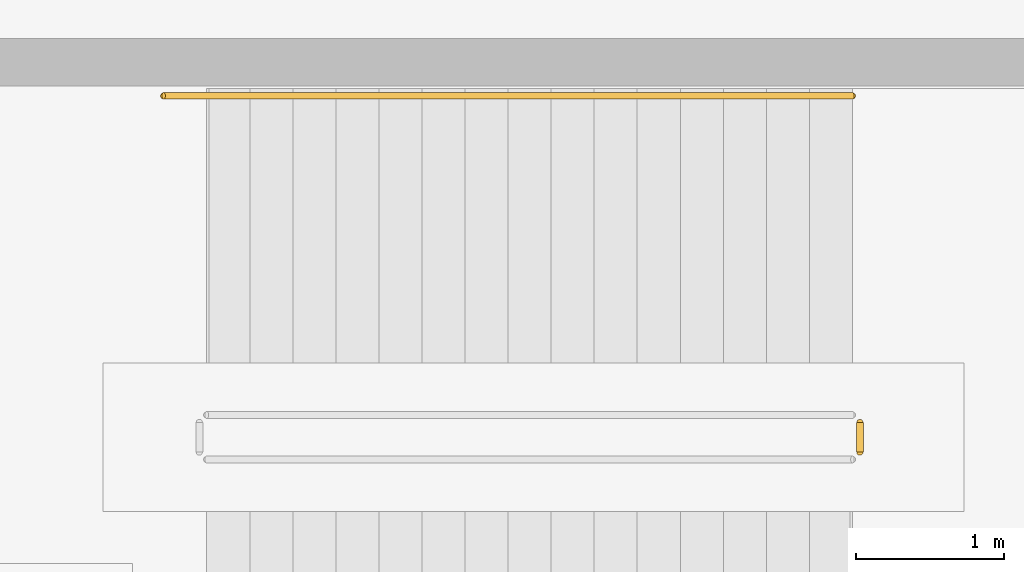
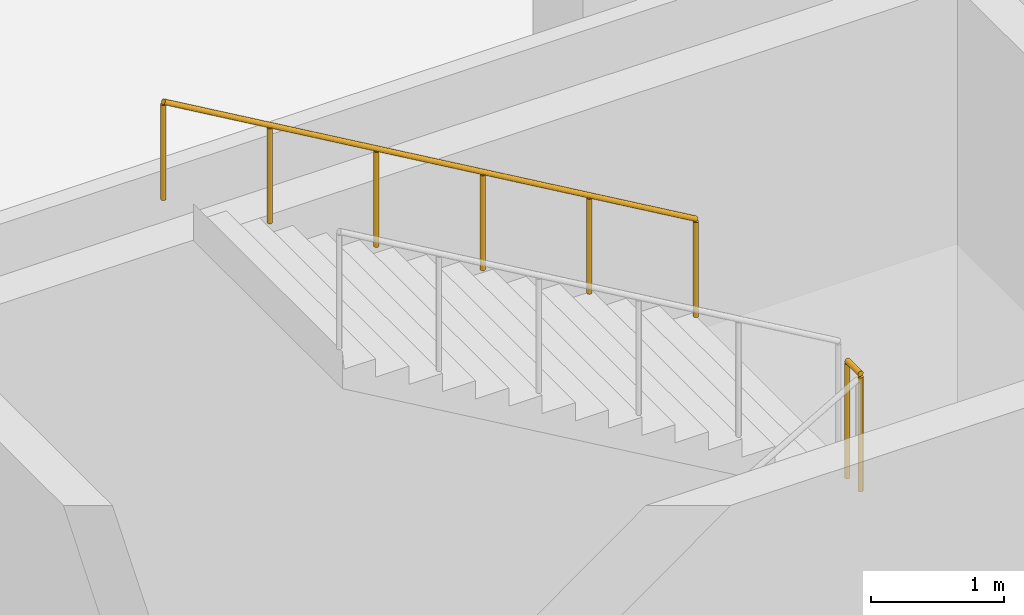
# One storey, part 53 of 60: 2 railings.
"""IFC4 building model written with IfcOpenShell, lengths in metres."""

from ifc_helpers import new_model, si_unit, direction, frame, origin, origin_2d, place, context, subcontext, project, spatial, circle, extrude, material, type_object, element, save


model = new_model("IFC4")

# Units and contexts
model_context = context("Model", 3, precision=1e-05, world=origin(), true_north=direction((0.0, 1.0)))
body_context = subcontext(model_context, "Body", "Model", "MODEL_VIEW")
ifc_project = project(units=[si_unit("LENGTHUNIT", "METRE"), si_unit("AREAUNIT", "SQUARE_METRE"), si_unit("VOLUMEUNIT", "CUBIC_METRE"), si_unit("PLANEANGLEUNIT", "RADIAN"), si_unit("MASSUNIT", "GRAM", prefix="KILO")], contexts=[model_context])

# Site, building, storey
site_placement = place(None, origin())
site = spatial("IfcSite", under=ifc_project, at=site_placement, CompositionType="ELEMENT")
building_placement = place(site_placement, origin())
building = spatial("IfcBuilding", under=site, at=building_placement, Name="Trimount Lyric Opera House", CompositionType="ELEMENT")
storey_placement = place(building_placement, frame((0.0, 0.0, -5.39990234375)))
storey = spatial("IfcBuildingStorey", under=building, at=storey_placement, Name="B1", CompositionType="ELEMENT", Elevation=-5.39990234375)

# Railings
ifc_material_1 = material(Name="Brushed Stainless Steel 316", Category="steel")
railing_type_1 = type_object("IfcRailingType", Name="RL-GRD110", PredefinedType="GUARDRAIL", material=ifc_material_1)
railing_1_placement = place(storey_placement, frame((25.25, 57.050048828125, 2.699951171875)))
element("IfcRailing", 1, at=railing_1_placement, inside=storey, type_object=railing_type_1, Name="B1 ST-06 stair guard 2", PredefinedType="GUARDRAIL", context=body_context, shape_type="SweptSolid", body=[
    extrude(circle(Radius=0.02392578125, at=origin_2d()), frame((0.0, 0.0, 1.076171875), z_axis=(0.0, 1.0, 0.0), x_axis=(-1.0, 0.0, 0.0)), (0.0, 0.0, 1.0), 0.199951171875),
    extrude(circle(Radius=0.02099609375, at=origin_2d()), origin(), (0.0, 0.0, 1.0), 1.052001953125),
    extrude(circle(Radius=0.02099609375, at=origin_2d()), frame((0.0, 0.199951171875, 0.0)), (0.0, 0.0, 1.0), 1.052001953125),
])
ifc_material_2 = material(Name="Brushed Stainless Steel 316", Category="steel")
railing_type_2 = type_object("IfcRailingType", Name="RL-HND092", PredefinedType="HANDRAIL", material=ifc_material_2)
railing_2_placement = place(storey_placement, frame((25.199951171875, 59.449951171875, 2.86865234375)))
element("IfcRailing", 2, at=railing_2_placement, inside=storey, type_object=railing_type_2, Name="B1 ST-06 stair handrail 2", PredefinedType="HANDRAIL", context=body_context, shape_type="SweptSolid", body=[
    extrude(circle(Radius=0.0224609375, at=origin_2d()), frame((0.0, 0.0, 0.8974609375), z_axis=(-0.864060742353, 0.0, 0.503387557976), x_axis=(0.0, -1.0, 0.0)), (0.0, 0.0, 1.0), 5.369873046875),
    extrude(circle(Radius=0.02099609375, at=origin_2d()), origin(), (0.0, 0.0, 1.0), 0.875),
    extrude(circle(Radius=0.02099609375, at=origin_2d()), frame((-0.927978515625, 0.0, 0.54052734375)), (0.0, 0.0, 1.0), 0.875),
    extrude(circle(Radius=0.02099609375, at=origin_2d()), frame((-1.85595703125, 0.0, 1.081298828125)), (0.0, 0.0, 1.0), 0.875),
    extrude(circle(Radius=0.02099609375, at=origin_2d()), frame((-2.783935546875, 0.0, 1.621826171875)), (0.0, 0.0, 1.0), 0.875),
    extrude(circle(Radius=0.02099609375, at=origin_2d()), frame((-3.7119140625, 0.0, 2.16259765625)), (0.0, 0.0, 1.0), 0.875),
    extrude(circle(Radius=0.02099609375, at=origin_2d()), frame((-4.639892578125, 0.0, 2.703125)), (0.0, 0.0, 1.0), 0.875),
])

save(model, "model.ifc")
